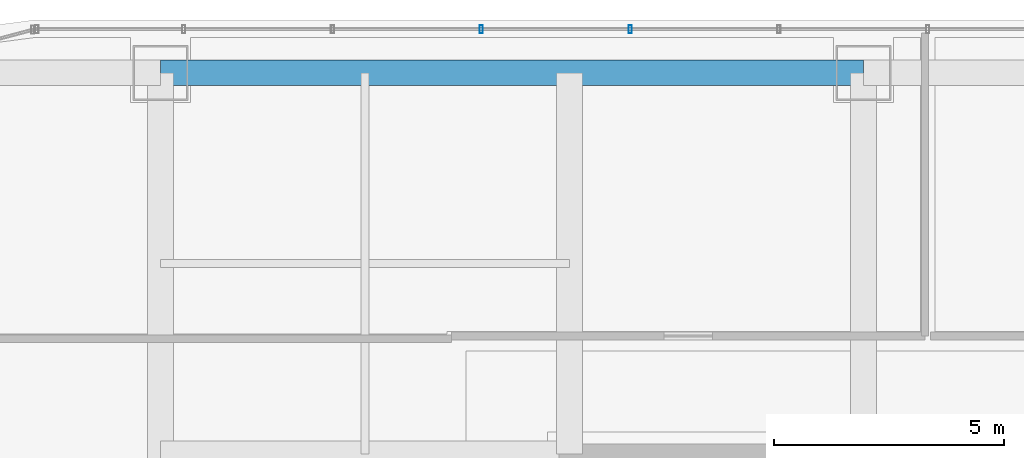
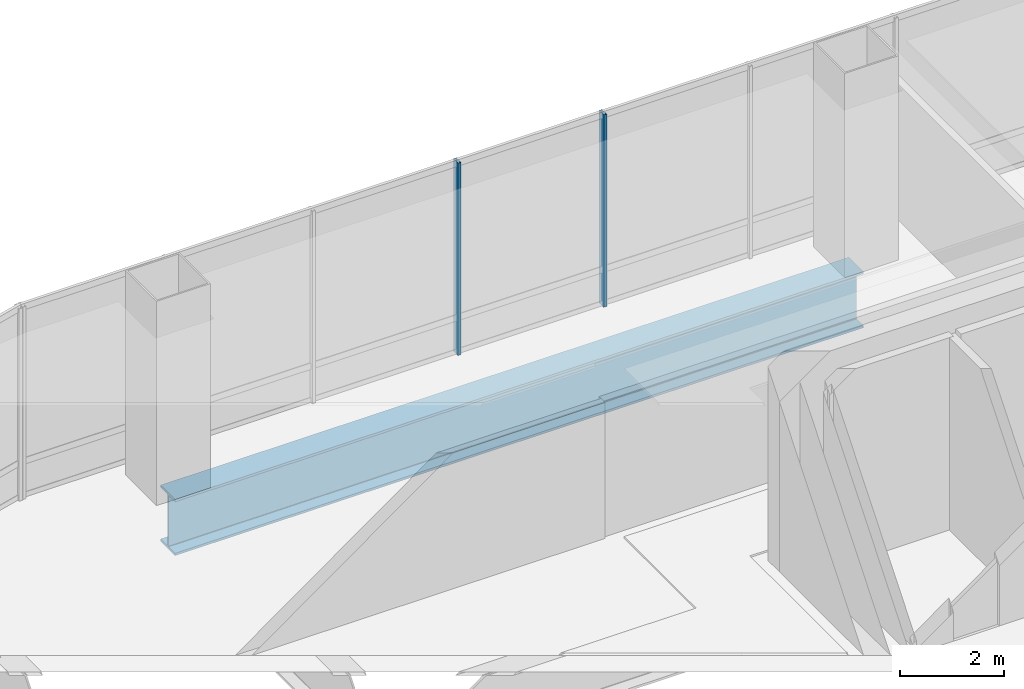
# One storey, part 26 of 45: 2 members, 1 beam, 1 element without a shape of its own.
"""IFC4 building model written with IfcOpenShell, lengths in metres."""

from ifc_helpers import new_model, si_unit, direction, frame, origin, origin_2d, place, context, subcontext, project, spatial, hollow_rectangle, i_section, extrude, material, material_profile, profile_set, type_object, element, aggregate, save


model = new_model("IFC4")

# Units and contexts
model_context = context("Model", 3, precision=1e-05, world=origin(), true_north=direction((0.0, 1.0)))
body_context = subcontext(model_context, "Body", "Model", "MODEL_VIEW")
ifc_project = project(units=[si_unit("LENGTHUNIT", "METRE"), si_unit("AREAUNIT", "SQUARE_METRE"), si_unit("VOLUMEUNIT", "CUBIC_METRE"), si_unit("PLANEANGLEUNIT", "RADIAN"), si_unit("MASSUNIT", "GRAM", prefix="KILO")], contexts=[model_context])

# Site, building, storey
site_placement = place(None, origin())
site = spatial("IfcSite", under=ifc_project, at=site_placement, CompositionType="ELEMENT")
building_placement = place(site_placement, origin())
building = spatial("IfcBuilding", under=site, at=building_placement, Name="Punatoya Terracotta Tower", CompositionType="ELEMENT")
storey_placement = place(building_placement, frame((0.0, 0.0, 339.0)))
storey = spatial("IfcBuildingStorey", under=building, at=storey_placement, Name="L80", CompositionType="ELEMENT", Elevation=339.0)

# Beam
ifc_material_1 = material(Name="Steel S460", Category="steel")
ifc_material_profile_1 = material_profile(ifc_material_1, i_section(OverallWidth=0.56005859375, OverallDepth=1.320068359375, WebThickness=0.035888671875, FlangeThickness=0.054931640625, FilletRadius=0.01806640625, at=origin_2d()))
ifc_profile_set_1 = profile_set([ifc_material_profile_1], Name="Steel S460")
beam_type = type_object("IfcBeamType", Name="BM-TG-BLK", PredefinedType="BEAM", material=ifc_profile_set_1)
beam_placement = place(storey_placement, frame((-19.10009765625, 17.5, -0.919921875), z_axis=(1.0, 0.0, 0.0), x_axis=(0.0, 1.0, 0.0)))
element("IfcBeam", 1, at=beam_placement, inside=storey, type_object=beam_type, Name="BM-L80-RG-N1", PredefinedType="BEAM", context=body_context, shape_type="SweptSolid", body=[
    extrude(i_section(OverallWidth=0.56005859375, OverallDepth=1.320068359375, WebThickness=0.035888671875, FlangeThickness=0.054931640625, FilletRadius=0.01806640625, at=origin_2d()), origin(), (0.0, 0.0, 1.0), 15.300048828125),
])

# Curtain wall, members
ifc_material_2 = material(Name="Aluminium 6063-T6 + Double Low-E Glass", Category="aluminium")
curtain_wall_type = type_object("IfcCurtainWallType", Name="CW-OBS", PredefinedType="NOTDEFINED", material=ifc_material_2)
curtain_wall_placement = place(storey_placement, origin())
curtain_wall = element("IfcCurtainWall", 2, at=curtain_wall_placement, inside=storey, type_object=curtain_wall_type, Name="L80 Curtain Wall CW-L80-N09-1", PredefinedType="NOTDEFINED")
ifc_material_3 = material(Name="Aluminium 6063-T6", Category="aluminium")
ifc_material_profile_2 = material_profile(ifc_material_3, hollow_rectangle(XDim=0.070068359375, YDim=0.179931640625, WallThickness=0.00390625, at=origin_2d()))
ifc_profile_set_2 = profile_set([ifc_material_profile_2], Name="Aluminium 6063-T6")
member_type = type_object("IfcMemberType", Name="CW-MUL-M3", PredefinedType="MULLION", material=ifc_profile_set_2)
member_1_placement = place(storey_placement, frame((-8.87890625, 18.449951171875, 0.0), z_axis=(0.0, 0.0, 1.0), x_axis=(1.0, 0.0, 0.0)))
member_1 = element("IfcMember", 3, at=member_1_placement, type_object=member_type, Name="CW-L80-N09-1 Mullion 08", PredefinedType="MULLION", context=body_context, shape_type="SweptSolid", body=[
    extrude(hollow_rectangle(XDim=0.070068359375, YDim=0.179931640625, WallThickness=0.00390625, at=origin_2d()), origin(), (0.0, 0.0, 1.0), 4.52001953125),
])
member_2_placement = place(storey_placement, frame((-12.118408203125, 18.449951171875, 0.0), z_axis=(0.0, 0.0, 1.0), x_axis=(1.0, 0.0, 0.0)))
member_2 = element("IfcMember", 4, at=member_2_placement, type_object=member_type, Name="CW-L80-N09-1 Mullion 09", PredefinedType="MULLION", context=body_context, shape_type="SweptSolid", body=[
    extrude(hollow_rectangle(XDim=0.070068359375, YDim=0.179931640625, WallThickness=0.00390625, at=origin_2d()), origin(), (0.0, 0.0, 1.0), 4.52001953125),
])
aggregate(curtain_wall, [member_1, member_2])

save(model, "model.ifc")
